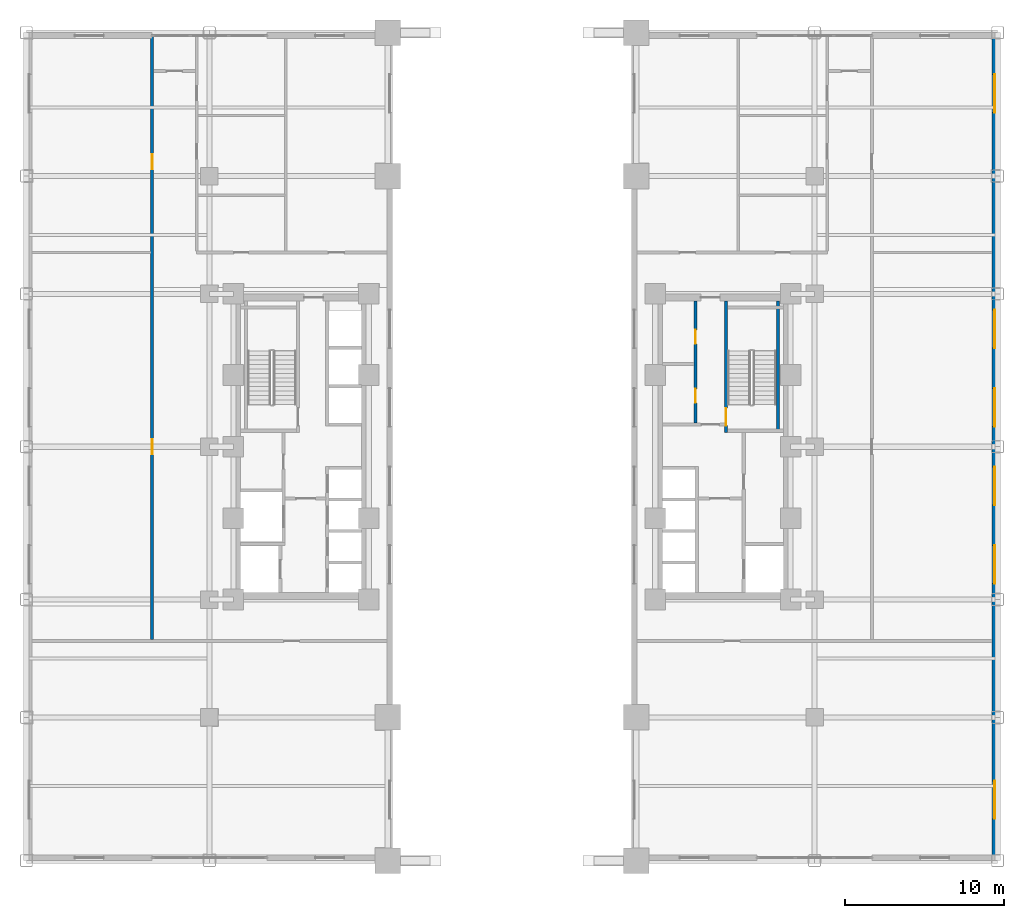
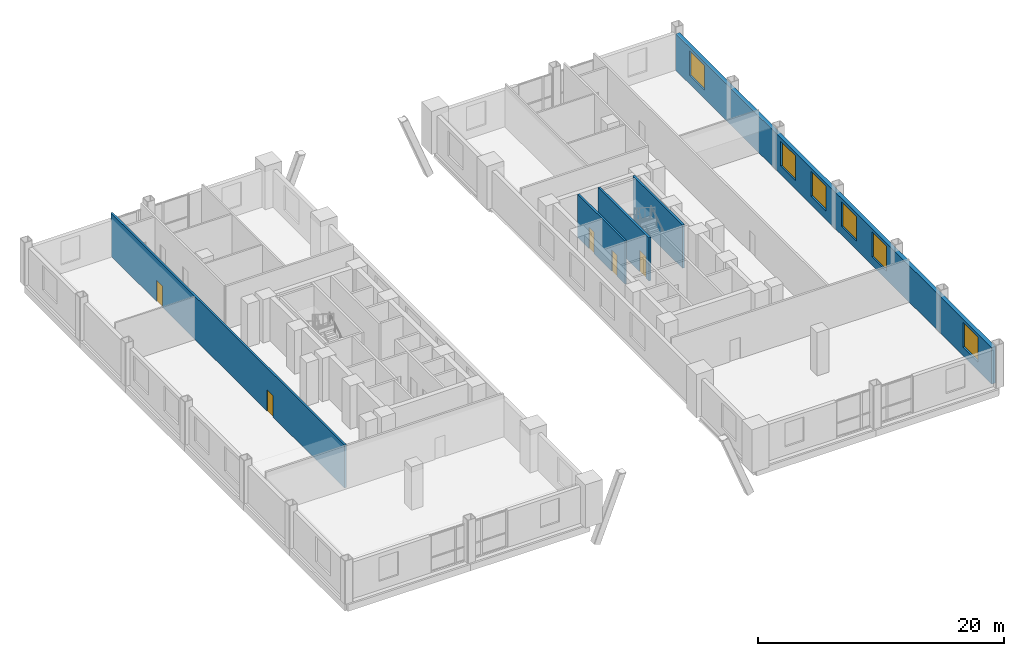
# One storey, part 5 of 15: 6 windows, 5 doors, 5 walls, 11 openings.
"""IFC4 building model written with IfcOpenShell, lengths in metres."""

from ifc_helpers import new_model, si_unit, direction, frame, frame_2d, origin, place, context, subcontext, project, spatial, rectangle, extrude, source, transform, mapped, material, layer, layer_set, type_object, type_shapes, element, fill, save


model = new_model("IFC4")

# Units and contexts
model_context = context("Model", 3, precision=1e-05, world=origin(), true_north=direction((0.0, 1.0)))
body_context = subcontext(model_context, "Body", "Model", "MODEL_VIEW")
ifc_project = project(units=[si_unit("LENGTHUNIT", "METRE"), si_unit("AREAUNIT", "SQUARE_METRE"), si_unit("VOLUMEUNIT", "CUBIC_METRE"), si_unit("PLANEANGLEUNIT", "RADIAN"), si_unit("MASSUNIT", "GRAM", prefix="KILO")], contexts=[model_context])

# Site, building, storey
site_placement = place(None, origin())
site = spatial("IfcSite", under=ifc_project, at=site_placement, CompositionType="ELEMENT")
building_placement = place(site_placement, origin())
building = spatial("IfcBuilding", under=site, at=building_placement, Name="Nuvemarco Arch Tower", CompositionType="ELEMENT")
storey_placement = place(building_placement, frame((0.0, 0.0, 9.199951171875)))
storey = spatial("IfcBuildingStorey", under=building, at=storey_placement, Name="L02", CompositionType="ELEMENT", Elevation=9.199951171875)

# Wall, openings, windows
ifc_material_1 = material(Name="Precast concrete C45/55", Category="concrete")
ifc_layer_1 = layer(ifc_material_1, 0.360107421875, Name="EW-POD-360")
ifc_layer_set_1 = layer_set([ifc_layer_1], Name="Precast concrete C45/55")
wall_type_1 = type_object("IfcWallType", Name="EW-POD-360", PredefinedType="STANDARD", material=ifc_layer_set_1)
wall_1_placement = place(storey_placement, frame((30.320068359375, -25.64404296875, 0.0), z_axis=(0.0, 0.0, 1.0), x_axis=(0.0, 1.0, 0.0)))
wall_1 = element("IfcWall", 1, at=wall_1_placement, inside=storey, type_object=wall_type_1, Name="L02 exterior precast facade wall 2", PredefinedType="STANDARD", context=body_context, shape_type="SweptSolid", body=[
    extrude(rectangle(XDim=51.2880859375, YDim=0.360107421875, at=frame_2d((25.64404296875, 0.0))), origin(), (0.0, 0.0, 1.0), 3.614990234375),
])
opening_1_placement = place(wall_1_placement, frame((2.264404296875, 0.0, 0.85009765625)))
opening_1 = element("IfcOpeningElement", 2, at=opening_1_placement, cuts=wall_1, Name="Opening WN-1", PredefinedType="OPENING", context=body_context, shape_type="SweptSolid", body=[
    extrude(rectangle(XDim=2.39990234375, YDim=2.449951171875, at=frame_2d((1.199951171875, 1.22509765625))), frame((0.0, 0.18994140625, 0.0), z_axis=(0.0, -1.0, 0.0), x_axis=(1.0, 0.0, 0.0)), (0.0, 0.0, 1.0), 0.380126953125),
])
opening_2_placement = place(wall_1_placement, frame((17.05078125, 0.0, 0.85009765625)))
opening_2 = element("IfcOpeningElement", 3, at=opening_2_placement, cuts=wall_1, Name="Opening WN-1", PredefinedType="OPENING", context=body_context, shape_type="SweptSolid", body=[
    extrude(rectangle(XDim=2.39990234375, YDim=2.449951171875, at=frame_2d((1.199951171875, 1.22509765625))), frame((0.0, 0.18994140625, 0.0), z_axis=(0.0, -1.0, 0.0), x_axis=(1.0, 0.0, 0.0)), (0.0, 0.0, 1.0), 0.380126953125),
])
opening_3_placement = place(wall_1_placement, frame((21.9794921875, 0.0, 0.85009765625)))
opening_3 = element("IfcOpeningElement", 4, at=opening_3_placement, cuts=wall_1, Name="Opening WN-1", PredefinedType="OPENING", context=body_context, shape_type="SweptSolid", body=[
    extrude(rectangle(XDim=2.39990234375, YDim=2.449951171875, at=frame_2d((1.199951171875, 1.22509765625))), frame((0.0, 0.18994140625, 0.0), z_axis=(0.0, -1.0, 0.0), x_axis=(1.0, 0.0, 0.0)), (0.0, 0.0, 1.0), 0.380126953125),
])
opening_4_placement = place(wall_1_placement, frame((26.908447265625, 0.0, 0.85009765625)))
opening_4 = element("IfcOpeningElement", 5, at=opening_4_placement, cuts=wall_1, Name="Opening WN-1", PredefinedType="OPENING", context=body_context, shape_type="SweptSolid", body=[
    extrude(rectangle(XDim=2.39990234375, YDim=2.449951171875, at=frame_2d((1.199951171875, 1.22509765625))), frame((0.0, 0.18994140625, 0.0), z_axis=(0.0, -1.0, 0.0), x_axis=(1.0, 0.0, 0.0)), (0.0, 0.0, 1.0), 0.380126953125),
])
opening_5_placement = place(wall_1_placement, frame((31.837158203125, 0.0, 0.85009765625)))
opening_5 = element("IfcOpeningElement", 6, at=opening_5_placement, cuts=wall_1, Name="Opening WN-1", PredefinedType="OPENING", context=body_context, shape_type="SweptSolid", body=[
    extrude(rectangle(XDim=2.39990234375, YDim=2.449951171875, at=frame_2d((1.199951171875, 1.22509765625))), frame((0.0, 0.18994140625, 0.0), z_axis=(0.0, -1.0, 0.0), x_axis=(1.0, 0.0, 0.0)), (0.0, 0.0, 1.0), 0.380126953125),
])
opening_6_placement = place(wall_1_placement, frame((46.62353515625, 0.0, 0.85009765625)))
opening_6 = element("IfcOpeningElement", 7, at=opening_6_placement, cuts=wall_1, Name="Opening WN-1", PredefinedType="OPENING", context=body_context, shape_type="SweptSolid", body=[
    extrude(rectangle(XDim=2.39990234375, YDim=2.449951171875, at=frame_2d((1.199951171875, 1.22509765625))), frame((0.0, 0.18994140625, 0.0), z_axis=(0.0, -1.0, 0.0), x_axis=(1.0, 0.0, 0.0)), (0.0, 0.0, 1.0), 0.380126953125),
])
ifc_material_2 = material(Name="Insulated solar-control glass", Category="glass")
window_type = type_object("IfcWindowType", Name="WN-POD-2400x2450", PartitioningType="DOUBLE_PANEL_VERTICAL", PredefinedType="WINDOW", material=ifc_material_2)
shared_shape_1 = source(origin(), body_context, "Body", "SweptSolid", [
    extrude(rectangle(XDim=2.39990234375, YDim=2.449951171875, at=frame_2d((1.199951171875, 1.22509765625))), frame((0.0, 0.030029296875, 0.0), z_axis=(0.0, -1.0, 0.0), x_axis=(1.0, 0.0, 0.0)), (0.0, 0.0, 1.0), 0.06005859375),
])
type_shapes(window_type, [shared_shape_1])
window_1_placement = place(opening_1_placement, origin())
window_1 = element("IfcWindow", 8, at=window_1_placement, inside=storey, type_object=window_type, Name="L02 punched facade window 1", OverallHeight=2.449951171875, OverallWidth=2.39990234375, PartitioningType="SINGLE_PANEL", PredefinedType="WINDOW", context=body_context, shape_type="MappedRepresentation", body=[
    mapped(shared_shape_1, transform((0.0, 0.0, 0.0), scale=1.0)),
])
fill(opening_1, window_1)
window_2_placement = place(opening_2_placement, origin())
window_2 = element("IfcWindow", 9, at=window_2_placement, inside=storey, type_object=window_type, Name="L02 punched facade window 4", OverallHeight=2.449951171875, OverallWidth=2.39990234375, PartitioningType="SINGLE_PANEL", PredefinedType="WINDOW", context=body_context, shape_type="MappedRepresentation", body=[
    mapped(shared_shape_1, transform((0.0, 0.0, 0.0), scale=1.0)),
])
fill(opening_2, window_2)
window_3_placement = place(opening_3_placement, origin())
window_3 = element("IfcWindow", 10, at=window_3_placement, inside=storey, type_object=window_type, Name="L02 punched facade window 5", OverallHeight=2.449951171875, OverallWidth=2.39990234375, PartitioningType="SINGLE_PANEL", PredefinedType="WINDOW", context=body_context, shape_type="MappedRepresentation", body=[
    mapped(shared_shape_1, transform((0.0, 0.0, 0.0), scale=1.0)),
])
fill(opening_3, window_3)
window_4_placement = place(opening_4_placement, origin())
window_4 = element("IfcWindow", 11, at=window_4_placement, inside=storey, type_object=window_type, Name="L02 punched facade window 6", OverallHeight=2.449951171875, OverallWidth=2.39990234375, PartitioningType="SINGLE_PANEL", PredefinedType="WINDOW", context=body_context, shape_type="MappedRepresentation", body=[
    mapped(shared_shape_1, transform((0.0, 0.0, 0.0), scale=1.0)),
])
fill(opening_4, window_4)
window_5_placement = place(opening_5_placement, origin())
window_5 = element("IfcWindow", 12, at=window_5_placement, inside=storey, type_object=window_type, Name="L02 punched facade window 7", OverallHeight=2.449951171875, OverallWidth=2.39990234375, PartitioningType="SINGLE_PANEL", PredefinedType="WINDOW", context=body_context, shape_type="MappedRepresentation", body=[
    mapped(shared_shape_1, transform((0.0, 0.0, 0.0), scale=1.0)),
])
fill(opening_5, window_5)
window_6_placement = place(opening_6_placement, origin())
window_6 = element("IfcWindow", 13, at=window_6_placement, inside=storey, type_object=window_type, Name="L02 punched facade window 10", OverallHeight=2.449951171875, OverallWidth=2.39990234375, PartitioningType="SINGLE_PANEL", PredefinedType="WINDOW", context=body_context, shape_type="MappedRepresentation", body=[
    mapped(shared_shape_1, transform((0.0, 0.0, 0.0), scale=1.0)),
])
fill(opening_6, window_6)

# Wall, openings, doors
ifc_material_3 = material(Name="Fire-rated gypsum drywall partition")
ifc_layer_2 = layer(ifc_material_3, 0.179931640625, Name="WL-CORR-180")
ifc_layer_set_2 = layer_set([ifc_layer_2], Name="Fire-rated gypsum drywall partition")
wall_type_2 = type_object("IfcWallType", Name="WL-CORR-180", PredefinedType="PARTITIONING", material=ifc_layer_set_2)
wall_2_placement = place(storey_placement, frame((11.52001953125, 1.489990234375, 0.0), z_axis=(0.0, 0.0, 1.0), x_axis=(0.0, 1.0, 0.0)))
wall_2 = element("IfcWall", 14, at=wall_2_placement, inside=storey, type_object=wall_type_2, Name="L02 interior wall IW-L02-EK2", PredefinedType="PARTITIONING", context=body_context, shape_type="SweptSolid", body=[
    extrude(rectangle(XDim=7.6650390625, YDim=0.179931640625, at=frame_2d((3.83251953125, 0.0))), origin(), (0.0, 0.0, 1.0), 4.27001953125),
])
opening_7_placement = place(wall_2_placement, frame((1.27001953125, 0.0, 0.0)))
opening_7 = element("IfcOpeningElement", 15, at=opening_7_placement, cuts=wall_2, Name="Opening FD-4", PredefinedType="OPENING", context=body_context, shape_type="SweptSolid", body=[
    extrude(rectangle(XDim=0.8798828125, YDim=2.10009765625, at=frame_2d((0.43994140625, 1.050048828125))), frame((0.0, 0.099853515625, 0.0), z_axis=(0.0, -1.0, 0.0), x_axis=(1.0, 0.0, 0.0)), (0.0, 0.0, 1.0), 0.199951171875),
])
opening_8_placement = place(wall_2_placement, frame((4.969970703125, 0.0, 0.0)))
opening_8 = element("IfcOpeningElement", 16, at=opening_8_placement, cuts=wall_2, Name="Opening FD-4", PredefinedType="OPENING", context=body_context, shape_type="SweptSolid", body=[
    extrude(rectangle(XDim=0.8798828125, YDim=2.10009765625, at=frame_2d((0.43994140625, 1.050048828125))), frame((0.0, 0.099853515625, 0.0), z_axis=(0.0, -1.0, 0.0), x_axis=(1.0, 0.0, 0.0)), (0.0, 0.0, 1.0), 0.199951171875),
])
ifc_material_4 = material(Name="Anodised steel fire door", Category="steel")
door_type_1 = type_object("IfcDoorType", Name="DR-RISER-FD", OperationType="NOTDEFINED", PredefinedType="DOOR", material=ifc_material_4)
shared_shape_2 = source(origin(), body_context, "Body", "SweptSolid", [
    extrude(rectangle(XDim=0.8798828125, YDim=2.10009765625, at=frame_2d((0.43994140625, 1.050048828125))), frame((0.0, 0.02490234375, 0.0), z_axis=(0.0, -1.0, 0.0), x_axis=(1.0, 0.0, 0.0)), (0.0, 0.0, 1.0), 0.050048828125),
])
type_shapes(door_type_1, [shared_shape_2])
door_1_placement = place(opening_7_placement, origin())
door_1 = element("IfcDoor", 17, at=door_1_placement, inside=storey, type_object=door_type_1, Name="L02 door FD-L02-EK2A", OperationType="SINGLE_SWING_RIGHT", OverallHeight=2.10009765625, OverallWidth=0.8798828125, PredefinedType="DOOR", context=body_context, shape_type="MappedRepresentation", body=[
    mapped(shared_shape_2, transform((0.0, 0.0, 0.0), scale=1.0)),
])
fill(opening_7, door_1)
door_2_placement = place(opening_8_placement, origin())
door_2 = element("IfcDoor", 18, at=door_2_placement, inside=storey, type_object=door_type_1, Name="L02 door FD-L02-EK2B", OperationType="SINGLE_SWING_LEFT", OverallHeight=2.10009765625, OverallWidth=0.8798828125, PredefinedType="DOOR", context=body_context, shape_type="MappedRepresentation", body=[
    mapped(shared_shape_2, transform((0.0, 0.0, 0.0), scale=1.0)),
])
fill(opening_8, door_2)

wall_3_placement = place(storey_placement, frame((-22.60009765625, -12.114013671875, 0.0), z_axis=(0.0, 0.0, 1.0), x_axis=(0.0, 1.0, 0.0)))
wall_3 = element("IfcWall", 19, at=wall_3_placement, inside=storey, type_object=wall_type_2, Name="L02 interior wall IW-L02-013", PredefinedType="PARTITIONING", context=body_context, shape_type="SweptSolid", body=[
    extrude(rectangle(XDim=37.9189453125, YDim=0.179931640625, at=frame_2d((18.95947265625, 0.0))), origin(), (0.0, 0.0, 1.0), 4.27001953125),
])
opening_9_placement = place(wall_3_placement, frame((11.634033203125, 0.0, 0.0)))
opening_9 = element("IfcOpeningElement", 20, at=opening_9_placement, cuts=wall_3, Name="Opening FD-5", PredefinedType="OPENING", context=body_context, shape_type="SweptSolid", body=[
    extrude(rectangle(XDim=0.9599609375, YDim=2.10009765625, at=frame_2d((0.47998046875, 1.050048828125))), frame((0.0, 0.099853515625, 0.0), z_axis=(0.0, -1.0, 0.0), x_axis=(1.0, 0.0, 0.0)), (0.0, 0.0, 1.0), 0.199951171875),
])
opening_10_placement = place(wall_3_placement, frame((29.533935546875, 0.0, 0.0)))
opening_10 = element("IfcOpeningElement", 21, at=opening_10_placement, cuts=wall_3, Name="Opening FD-5", PredefinedType="OPENING", context=body_context, shape_type="SweptSolid", body=[
    extrude(rectangle(XDim=0.9599609375, YDim=2.10009765625, at=frame_2d((0.47998046875, 1.050048828125))), frame((0.0, 0.099853515625, 0.0), z_axis=(0.0, -1.0, 0.0), x_axis=(1.0, 0.0, 0.0)), (0.0, 0.0, 1.0), 0.199951171875),
])
ifc_material_5 = material(Name="Timber fire door", Category="wood")
door_type_2 = type_object("IfcDoorType", Name="DR-CORR-FD", OperationType="NOTDEFINED", PredefinedType="DOOR", material=ifc_material_5)
shared_shape_3 = source(origin(), body_context, "Body", "SweptSolid", [
    extrude(rectangle(XDim=0.9599609375, YDim=2.10009765625, at=frame_2d((0.47998046875, 1.050048828125))), frame((0.0, 0.02490234375, 0.0), z_axis=(0.0, -1.0, 0.0), x_axis=(1.0, 0.0, 0.0)), (0.0, 0.0, 1.0), 0.050048828125),
])
type_shapes(door_type_2, [shared_shape_3])
door_3_placement = place(opening_9_placement, origin())
door_3 = element("IfcDoor", 22, at=door_3_placement, inside=storey, type_object=door_type_2, Name="L02 door DR-L02-POD_WCOW", OperationType="SINGLE_SWING_RIGHT", OverallHeight=2.10009765625, OverallWidth=0.9599609375, PredefinedType="DOOR", context=body_context, shape_type="MappedRepresentation", body=[
    mapped(shared_shape_3, transform((0.0, 0.0, 0.0), scale=1.0)),
])
fill(opening_9, door_3)
door_4_placement = place(opening_10_placement, origin())
door_4 = element("IfcDoor", 23, at=door_4_placement, inside=storey, type_object=door_type_2, Name="L02 door DR-L02-POD_WSEM", OperationType="SINGLE_SWING_RIGHT", OverallHeight=2.10009765625, OverallWidth=0.9599609375, PredefinedType="DOOR", context=body_context, shape_type="MappedRepresentation", body=[
    mapped(shared_shape_3, transform((0.0, 0.0, 0.0), scale=1.0)),
])
fill(opening_10, door_4)

# Wall, opening, door
ifc_material_6 = material(Name="Concrete C50/60", Category="concrete")
ifc_layer_3 = layer(ifc_material_6, 0.199951171875, Name="WL-SHAFT-220")
ifc_layer_set_3 = layer_set([ifc_layer_3], Name="Concrete C50/60")
wall_type_3 = type_object("IfcWallType", Name="WL-SHAFT-220", PredefinedType="SHEAR", material=ifc_layer_set_3)
wall_4_placement = place(storey_placement, frame((13.43994140625, 0.89990234375, 0.0), z_axis=(0.0, 0.0, 1.0), x_axis=(0.0, 1.0, 0.0)))
wall_4 = element("IfcWall", 24, at=wall_4_placement, inside=storey, type_object=wall_type_3, Name="L02 structural shaft wall SW-L02-E-ST2W", PredefinedType="SHEAR", context=body_context, shape_type="SweptSolid", body=[
    extrude(rectangle(XDim=8.255126953125, YDim=0.199951171875, at=frame_2d((4.12744140625, 0.0))), origin(), (0.0, 0.0, 1.0), 4.280029296875),
])
opening_11_placement = place(wall_4_placement, frame((0.429931640625, 0.0, 0.0)))
opening_11 = element("IfcOpeningElement", 25, at=opening_11_placement, cuts=wall_4, Name="Opening FD-1", PredefinedType="OPENING", context=body_context, shape_type="SweptSolid", body=[
    extrude(rectangle(XDim=1.10009765625, YDim=2.14990234375, at=frame_2d((0.550048828125, 1.074951171875))), frame((0.0, 0.10986328125, 0.0), z_axis=(0.0, -1.0, 0.0), x_axis=(1.0, 0.0, 0.0)), (0.0, 0.0, 1.0), 0.219970703125),
])
door_type_3 = type_object("IfcDoorType", Name="DR-STAIR-FD", OperationType="NOTDEFINED", PredefinedType="DOOR", material=ifc_material_4)
shared_shape_4 = source(origin(), body_context, "Body", "SweptSolid", [
    extrude(rectangle(XDim=1.10009765625, YDim=2.14990234375, at=frame_2d((0.550048828125, 1.074951171875))), frame((0.0, 0.02490234375, 0.0), z_axis=(0.0, -1.0, 0.0), x_axis=(1.0, 0.0, 0.0)), (0.0, 0.0, 1.0), 0.050048828125),
])
type_shapes(door_type_3, [shared_shape_4])
door_5_placement = place(opening_11_placement, origin())
door_5 = element("IfcDoor", 26, at=door_5_placement, inside=storey, type_object=door_type_3, Name="L02 door FD-L02-ST2", OperationType="SINGLE_SWING_RIGHT", OverallHeight=2.14990234375, OverallWidth=1.10009765625, PredefinedType="DOOR", context=body_context, shape_type="MappedRepresentation", body=[
    mapped(shared_shape_4, transform((0.0, 0.0, 0.0), scale=1.0)),
])
fill(opening_11, door_5)

# Wall
wall_5_placement = place(storey_placement, frame((16.699951171875, 1.094970703125, 0.0), z_axis=(0.0, 0.0, 1.0), x_axis=(0.0, 1.0, 0.0)))
element("IfcWall", 27, at=wall_5_placement, inside=storey, type_object=wall_type_3, Name="L02 structural shaft wall SW-L02-E-ST2E", PredefinedType="SHEAR", context=body_context, shape_type="SweptSolid", body=[
    extrude(rectangle(XDim=8.06005859375, YDim=0.199951171875, at=frame_2d((4.030029296875, 0.0))), origin(), (0.0, 0.0, 1.0), 4.280029296875),
])

save(model, "model.ifc")
